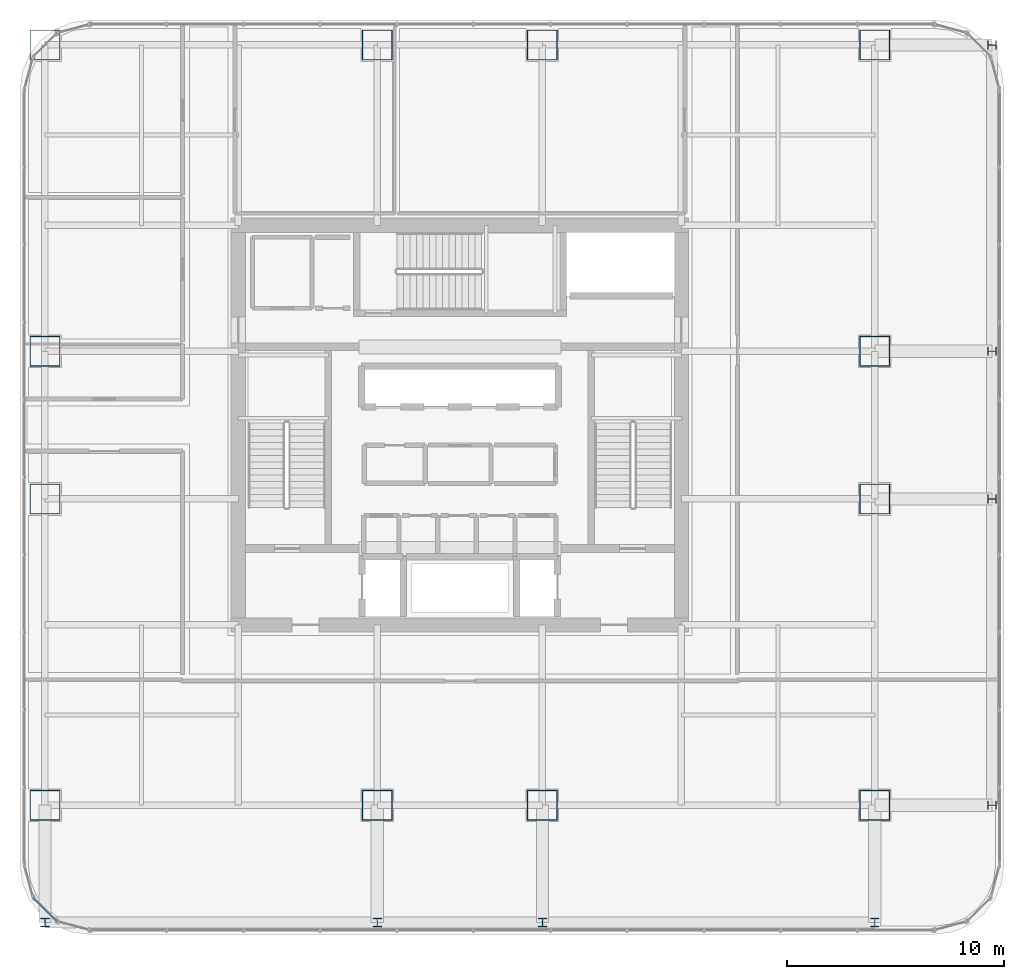
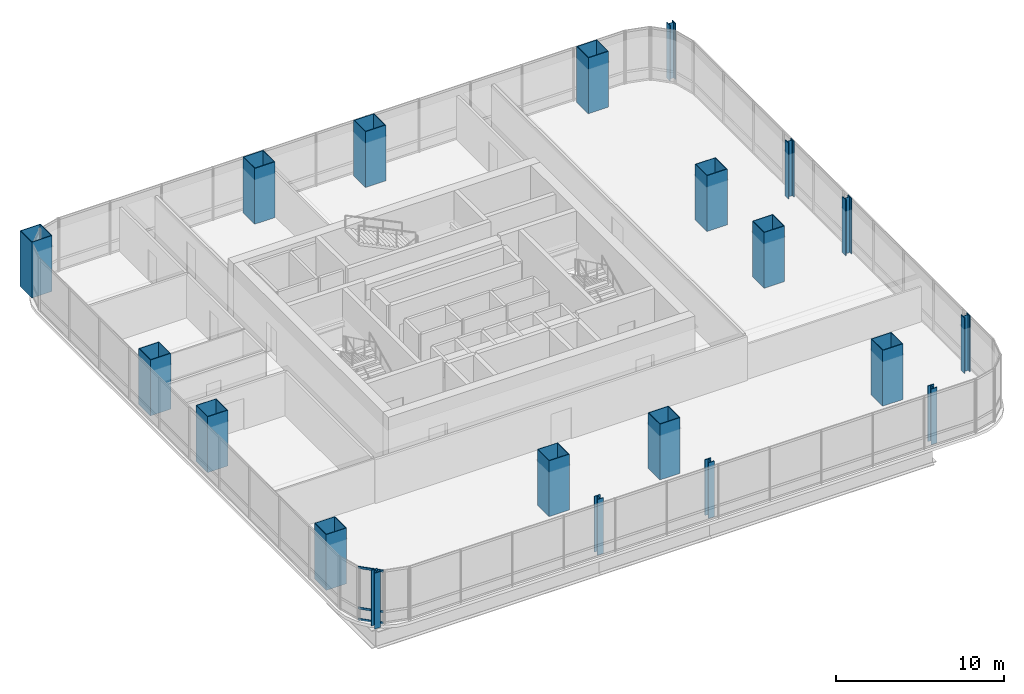
# One storey, part 1 of 36: 20 columns, 3 members, 1 element without a shape of its own.
"""IFC4 building model written with IfcOpenShell, lengths in metres."""

from ifc_helpers import new_model, si_unit, direction, frame, origin, origin_2d, place, context, subcontext, project, spatial, hollow_rectangle, i_section, extrude, material, material_profile, profile_set, type_object, element, aggregate, save


model = new_model("IFC4")

# Units and contexts
model_context = context("Model", 3, precision=1e-05, world=origin(), true_north=direction((0.0, 1.0)))
body_context = subcontext(model_context, "Body", "Model", "MODEL_VIEW")
ifc_project = project(units=[si_unit("LENGTHUNIT", "METRE"), si_unit("AREAUNIT", "SQUARE_METRE"), si_unit("VOLUMEUNIT", "CUBIC_METRE"), si_unit("PLANEANGLEUNIT", "RADIAN"), si_unit("MASSUNIT", "GRAM", prefix="KILO")], contexts=[model_context])

# Site, building, storey
site_placement = place(None, origin())
site = spatial("IfcSite", under=ifc_project, at=site_placement, CompositionType="ELEMENT")
building_placement = place(site_placement, origin())
building = spatial("IfcBuilding", under=site, at=building_placement, Name="Punatoya Terracotta Tower", CompositionType="ELEMENT")
storey_placement = place(building_placement, frame((0.0, 0.0, 212.699951171875)))
storey = spatial("IfcBuildingStorey", under=building, at=storey_placement, Name="L50", CompositionType="ELEMENT", Elevation=212.699951171875)

# Columns
ifc_material_1 = material(Name="Steel S460", Category="steel")
ifc_material_profile_1 = material_profile(ifc_material_1, i_section(OverallWidth=0.408935546875, OverallDepth=0.425048828125, WebThickness=0.031982421875, FlangeThickness=0.052001953125, FilletRadius=0.01806640625, at=origin_2d()))
ifc_profile_set_1 = profile_set([ifc_material_profile_1], Name="Steel S460")
column_type_1 = type_object("IfcColumnType", Name="COL-EX-M2", PredefinedType="COLUMN", material=ifc_profile_set_1)
for number, where, z_axis, x_axis, name in (
    (1, (-19.10009765625, -22.89990234375, 0.0), (0.0, 0.0, 1.0), (1.0, 0.0, 0.0), "L50 Exoskeleton Perimeter Column S1"),
    (2, (-3.800048828125, -22.89990234375, 0.0), (0.0, 0.0, 1.0), (1.0, 0.0, 0.0), "L50 Exoskeleton Perimeter Column S2"),
    (3, (3.800048828125, -22.89990234375, 0.0), (0.0, 0.0, 1.0), (1.0, 0.0, 0.0), "L50 Exoskeleton Perimeter Column S3"),
    (4, (19.10009765625, -22.89990234375, 0.0), (0.0, 0.0, 1.0), (1.0, 0.0, 0.0), "L50 Exoskeleton Perimeter Column S4"),
    (5, (24.5, -17.5, 0.0), (0.0, 0.0, 1.0), (0.0, 1.0, 0.0), "L50 Exoskeleton Perimeter Column E1"),
    (6, (24.5, -3.39990234375, 0.0), (0.0, 0.0, 1.0), (0.0, 1.0, 0.0), "L50 Exoskeleton Perimeter Column E2"),
    (7, (24.5, 3.39990234375, 0.0), (0.0, 0.0, 1.0), (0.0, 1.0, 0.0), "L50 Exoskeleton Perimeter Column E3"),
    (8, (24.5, 17.5, 0.0), (0.0, 0.0, 1.0), (0.0, 1.0, 0.0), "L50 Exoskeleton Perimeter Column E4"),
):
    element("IfcColumn", number, at=place(storey_placement, frame(where, z_axis=z_axis, x_axis=x_axis)), inside=storey, type_object=column_type_1, Name=name, PredefinedType="COLUMN", context=body_context, shape_type="SweptSolid", body=[
        extrude(i_section(OverallWidth=0.408935546875, OverallDepth=0.425048828125, WebThickness=0.031982421875, FlangeThickness=0.052001953125, FilletRadius=0.01806640625, at=origin_2d()), origin(), (0.0, 0.0, 1.0), 4.048095703125),
    ])
ifc_material_profile_2 = material_profile(ifc_material_1, hollow_rectangle(XDim=1.39990234375, YDim=1.39990234375, WallThickness=0.0419921875, at=origin_2d()))
ifc_profile_set_2 = profile_set([ifc_material_profile_2], Name="Steel S460")
column_type_2 = type_object("IfcColumnType", Name="COL-MC-Z2", PredefinedType="COLUMN", material=ifc_profile_set_2)
for number, where, z_axis, x_axis, name in (
    (9, (-19.10009765625, -17.5, 0.0), (0.0, 0.0, 1.0), (1.0, 0.0, 0.0), "L50 Composite Mega-Column MC-01 (3-B)"),
    (10, (-3.800048828125, -17.5, 0.0), (0.0, 0.0, 1.0), (1.0, 0.0, 0.0), "L50 Composite Mega-Column MC-02 (5-B)"),
    (11, (3.800048828125, -17.5, 0.0), (0.0, 0.0, 1.0), (1.0, 0.0, 0.0), "L50 Composite Mega-Column MC-03 (7-B)"),
    (12, (19.10009765625, -17.5, 0.0), (0.0, 0.0, 1.0), (1.0, 0.0, 0.0), "L50 Composite Mega-Column MC-04 (9-B)"),
    (13, (19.10009765625, -3.39990234375, 0.0), (0.0, 0.0, 1.0), (1.0, 0.0, 0.0), "L50 Composite Mega-Column MC-05 (9-D)"),
    (14, (19.10009765625, 3.39990234375, 0.0), (0.0, 0.0, 1.0), (1.0, 0.0, 0.0), "L50 Composite Mega-Column MC-06 (9-E)"),
    (15, (19.10009765625, 17.5, 0.0), (0.0, 0.0, 1.0), (1.0, 0.0, 0.0), "L50 Composite Mega-Column MC-07 (9-G)"),
    (16, (3.800048828125, 17.5, 0.0), (0.0, 0.0, 1.0), (1.0, 0.0, 0.0), "L50 Composite Mega-Column MC-08 (7-G)"),
    (17, (-3.800048828125, 17.5, 0.0), (0.0, 0.0, 1.0), (1.0, 0.0, 0.0), "L50 Composite Mega-Column MC-09 (5-G)"),
    (18, (-19.10009765625, 17.5, 0.0), (0.0, 0.0, 1.0), (1.0, 0.0, 0.0), "L50 Composite Mega-Column MC-10 (3-G)"),
    (19, (-19.10009765625, 3.39990234375, 0.0), (0.0, 0.0, 1.0), (1.0, 0.0, 0.0), "L50 Composite Mega-Column MC-11 (3-E)"),
    (20, (-19.10009765625, -3.39990234375, 0.0), (0.0, 0.0, 1.0), (1.0, 0.0, 0.0), "L50 Composite Mega-Column MC-12 (3-D)"),
):
    element("IfcColumn", number, at=place(storey_placement, frame(where, z_axis=z_axis, x_axis=x_axis)), inside=storey, type_object=column_type_2, Name=name, PredefinedType="COLUMN", context=body_context, shape_type="SweptSolid", body=[
        extrude(hollow_rectangle(XDim=1.39990234375, YDim=1.39990234375, WallThickness=0.0419921875, at=origin_2d()), origin(), (0.0, 0.0, 1.0), 4.050048828125),
    ])

# Curtain wall, members
ifc_material_2 = material(Name="Aluminium 6063-T6 + Double Low-E Glass", Category="aluminium")
curtain_wall_type = type_object("IfcCurtainWallType", Name="CW-M2", PredefinedType="NOTDEFINED", material=ifc_material_2)
curtain_wall_placement = place(storey_placement, origin())
curtain_wall = element("IfcCurtainWall", 21, at=curtain_wall_placement, inside=storey, type_object=curtain_wall_type, Name="L50 Curtain Wall CW-L50-CRN15", PredefinedType="NOTDEFINED")
ifc_material_3 = material(Name="Aluminium 6063-T6", Category="aluminium")
ifc_material_profile_3 = material_profile(ifc_material_3, hollow_rectangle(XDim=0.068115234375, YDim=0.14990234375, WallThickness=0.00390625, at=origin_2d()))
ifc_profile_set_3 = profile_set([ifc_material_profile_3], Name="Aluminium 6063-T6")
member_type = type_object("IfcMemberType", Name="CW-TRN-TYP", PredefinedType="USERDEFINED", material=ifc_profile_set_3)
member_1_placement = place(storey_placement, frame((-19.646484375, -21.7490234375, 0.0400390625), z_axis=(0.707028130747, -0.707185422879, 0.0), x_axis=(0.707185422879, 0.707028130747, 0.0)))
member_1 = element("IfcMember", 22, at=member_1_placement, type_object=member_type, Name="CW-L50-CRN15 Transom 1", ObjectType="TRANSOM", PredefinedType="USERDEFINED", context=body_context, shape_type="SweptSolid", body=[
    extrude(hollow_rectangle(XDim=0.068115234375, YDim=0.14990234375, WallThickness=0.00390625, at=origin_2d()), origin(), (0.0, 0.0, 1.0), 1.55224609375),
])
member_2_placement = place(storey_placement, frame((-19.646484375, -21.7490234375, 0.85009765625), z_axis=(0.707028130747, -0.707185422879, 0.0), x_axis=(0.707185422879, 0.707028130747, 0.0)))
member_2 = element("IfcMember", 23, at=member_2_placement, type_object=member_type, Name="CW-L50-CRN15 Transom 2", ObjectType="TRANSOM", PredefinedType="USERDEFINED", context=body_context, shape_type="SweptSolid", body=[
    extrude(hollow_rectangle(XDim=0.068115234375, YDim=0.14990234375, WallThickness=0.00390625, at=origin_2d()), origin(), (0.0, 0.0, 1.0), 1.55224609375),
])
member_3_placement = place(storey_placement, frame((-19.646484375, -21.7490234375, 3.7900390625), z_axis=(0.707028130747, -0.707185422879, 0.0), x_axis=(0.707185422879, 0.707028130747, 0.0)))
member_3 = element("IfcMember", 24, at=member_3_placement, type_object=member_type, Name="CW-L50-CRN15 Transom 3", ObjectType="TRANSOM", PredefinedType="USERDEFINED", context=body_context, shape_type="SweptSolid", body=[
    extrude(hollow_rectangle(XDim=0.068115234375, YDim=0.14990234375, WallThickness=0.00390625, at=origin_2d()), origin(), (0.0, 0.0, 1.0), 1.55224609375),
])
aggregate(curtain_wall, [member_1, member_2, member_3])

save(model, "model.ifc")
